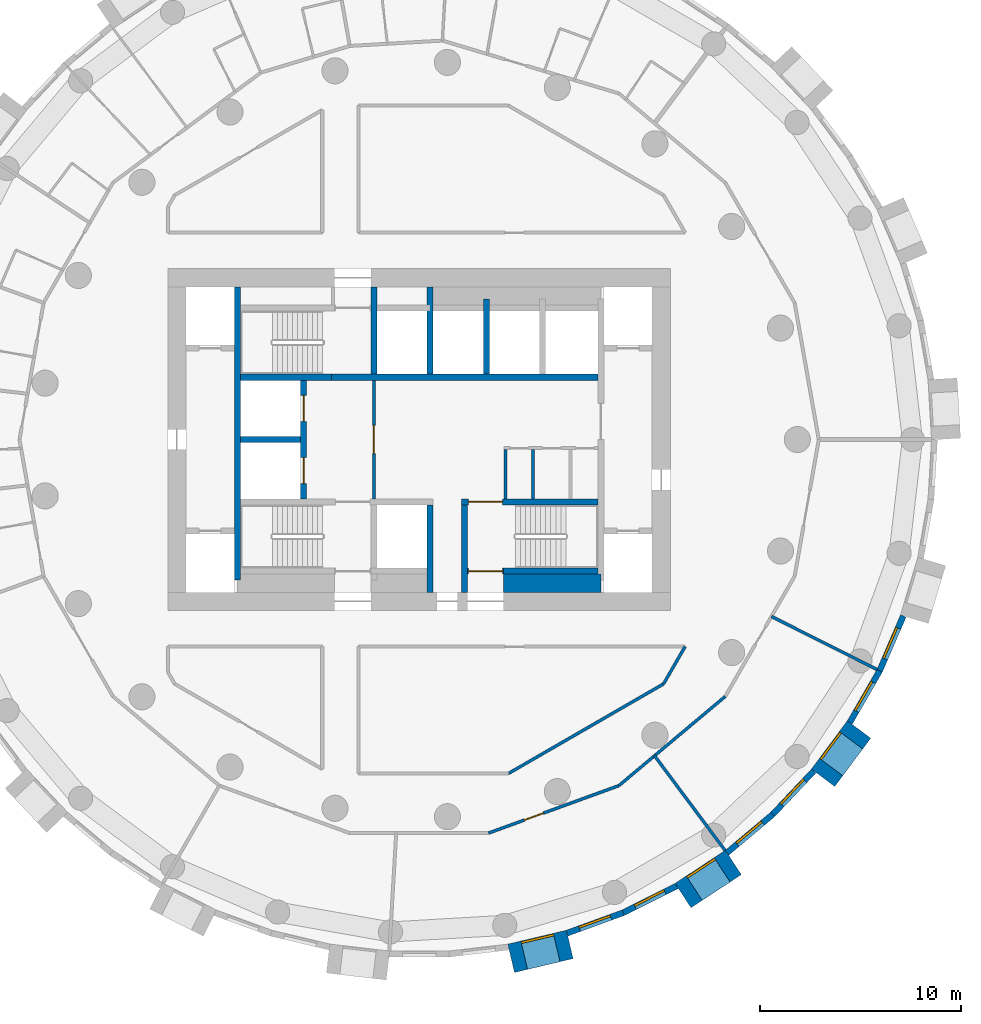
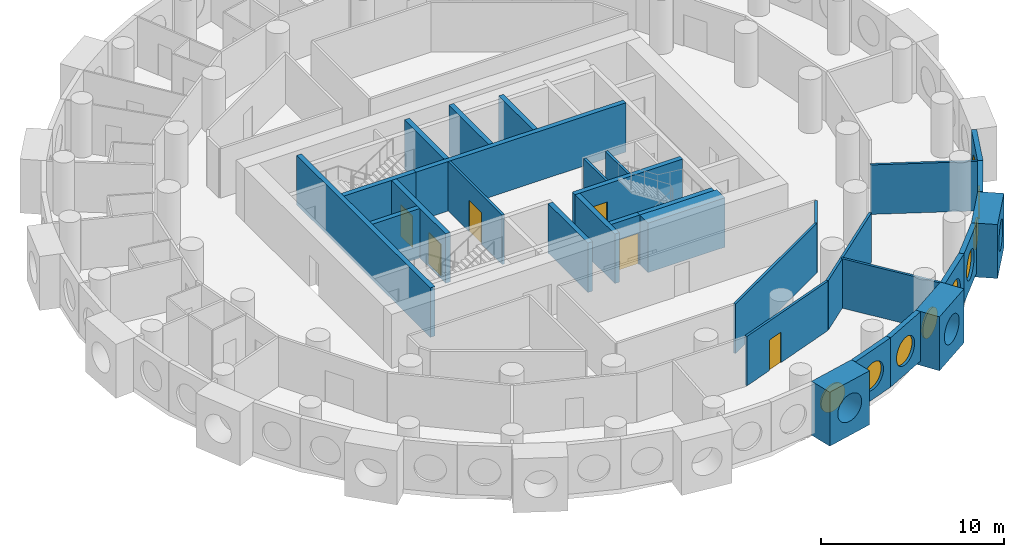
# One storey, part 4 of 10: 32 walls, 9 windows, 6 doors, 15 openings.
"""IFC4 building model written with IfcOpenShell, lengths in metres."""

from ifc_helpers import new_model, si_unit, direction, frame, frame_2d, origin, origin_2d, place, context, subcontext, project, spatial, rectangle, circle, extrude, material, layer, layer_set, type_object, element, fill, save


model = new_model("IFC4")

# Units and contexts
model_context = context("Model", 3, precision=1e-05, world=origin(), true_north=direction((0.0, 1.0)))
body_context = subcontext(model_context, "Body", "Model", "MODEL_VIEW")
ifc_project = project(units=[si_unit("LENGTHUNIT", "METRE"), si_unit("AREAUNIT", "SQUARE_METRE"), si_unit("VOLUMEUNIT", "CUBIC_METRE"), si_unit("PLANEANGLEUNIT", "RADIAN"), si_unit("MASSUNIT", "GRAM", prefix="KILO")], contexts=[model_context])

# Site, building, storey
site_placement = place(None, origin())
site = spatial("IfcSite", under=ifc_project, at=site_placement, CompositionType="ELEMENT")
building_placement = place(site_placement, origin())
building = spatial("IfcBuilding", under=site, at=building_placement, Name="Tracery Tower", CompositionType="ELEMENT")
storey_placement = place(building_placement, frame((0.0, 0.0, 144.0)))
storey = spatial("IfcBuildingStorey", under=building, at=storey_placement, Name="L36", CompositionType="ELEMENT", Elevation=144.0)

# Wall, opening, door
ifc_material_1 = material(Name="Plasterboard on steel studs", Category="steel")
ifc_layer_1 = layer(ifc_material_1, 0.14990234375)
ifc_layer_set_1 = layer_set([ifc_layer_1], Name="Core lobby partition 150")
wall_type_1 = type_object("IfcWallType", Name="Core lobby partition 150", PredefinedType="SOLIDWALL", material=ifc_layer_set_1)
wall_1_placement = place(storey_placement, frame((-2.25, -2.949951171875, 0.0), z_axis=(0.0, 0.0, 1.0), x_axis=(0.0, 1.0, 0.0)))
wall_1 = element("IfcWall", 1, at=wall_1_placement, inside=storey, type_object=wall_type_1, Name="L36 FF lobby E", PredefinedType="SOLIDWALL", context=body_context, shape_type="SweptSolid", body=[
    extrude(rectangle(XDim=5.89990234375, YDim=0.14990234375, at=frame_2d((2.949951171875, 0.0))), origin(), (0.0, 0.0, 1.0), 3.300048828125),
])
opening_1_placement = place(wall_1_placement, frame((2.25, 0.0, 0.0)))
opening_1 = element("IfcOpeningElement", 2, at=opening_1_placement, cuts=wall_1, Name="Opening KD8", PredefinedType="OPENING", context=body_context, shape_type="SweptSolid", body=[
    extrude(rectangle(XDim=1.39990234375, YDim=2.10009765625, at=frame_2d((0.699951171875, 1.050048828125))), frame((0.0, 0.074951171875, 0.0), z_axis=(0.0, -1.0, 0.0), x_axis=(1.0, 0.0, 0.0)), (0.0, 0.0, 1.0), 0.14990234375),
])
ifc_material_2 = material(Name="Steel fire door", Category="steel")
door_type_1 = type_object("IfcDoorType", Name="Core lobby door 1400 double", OperationType="NOTDEFINED", PredefinedType="DOOR", material=ifc_material_2)
door_1_placement = place(opening_1_placement, origin())
door_1 = element("IfcDoor", 3, at=door_1_placement, inside=storey, type_object=door_type_1, Name="Fire-fighting lobby door", OperationType="DOUBLE_DOOR_SINGLE_SWING", OverallHeight=2.10009765625, OverallWidth=1.39990234375, PredefinedType="DOOR", context=body_context, shape_type="SweptSolid", body=[
    extrude(rectangle(XDim=1.39990234375, YDim=2.10009765625, at=frame_2d((0.699951171875, 1.050048828125))), frame((0.0, 0.02490234375, 0.0), z_axis=(0.0, -1.0, 0.0), x_axis=(1.0, 0.0, 0.0)), (0.0, 0.0, 1.0), 0.050048828125),
])
fill(opening_1, door_1)

# Walls
ifc_material_3 = material(Name="Plasterboard on steel studs", Category="steel")
ifc_layer_2 = layer(ifc_material_3, 0.14990234375)
ifc_layer_set_2 = layer_set([ifc_layer_2], Name="Core room partition 150")
wall_type_2 = type_object("IfcWallType", Name="Core room partition 150", PredefinedType="SOLIDWALL", material=ifc_layer_set_2)
for number, where, z_axis, x_axis, name in (
    (4, (4.300048828125, -2.949951171875, 0.0), (0.0, 0.0, 1.0), (0.0, 1.0, 0.0), "L36 slot W"),
    (5, (5.675048828125, -2.949951171875, 0.0), (0.0, 0.0, 1.0), (0.0, 1.0, 0.0), "L36 slot sep 1"),
):
    element("IfcWall", number, at=place(storey_placement, frame(where, z_axis=z_axis, x_axis=x_axis)), inside=storey, type_object=wall_type_2, Name=name, PredefinedType="SOLIDWALL", context=body_context, shape_type="SweptSolid", body=[
        extrude(rectangle(XDim=2.449951171875, YDim=0.14990234375, at=frame_2d((1.22509765625, 0.0))), origin(), (0.0, 0.0, 1.0), 3.300048828125),
    ])
ifc_material_4 = material(Name="Concrete C50/60", Category="concrete")
ifc_layer_3 = layer(ifc_material_4, 0.89990234375)
ifc_layer_set_3 = layer_set([ifc_layer_3], Name="Core strip wall 900 C50")
wall_type_3 = type_object("IfcWallType", Name="Core strip wall 900 C50", PredefinedType="SOLIDWALL", material=ifc_layer_set_3)
wall_2_placement = place(storey_placement, frame((4.199951171875, -7.14990234375, 0.0), z_axis=(0.0, 0.0, 1.0), x_axis=(1.0, 0.0, 0.0)))
element("IfcWall", 6, at=wall_2_placement, inside=storey, type_object=wall_type_3, Name="L36 F thick S E", PredefinedType="SOLIDWALL", context=body_context, shape_type="SweptSolid", body=[
    extrude(rectangle(XDim=4.85009765625, YDim=0.89990234375, at=frame_2d((2.425048828125, 0.0))), origin(), (0.0, 0.0, 1.0), 3.300048828125),
])

# Wall, opening, window
ifc_material_5 = material(Name="Precast concrete C50/60", Category="concrete")
ifc_layer_4 = layer(ifc_material_5, 1.449951171875)
ifc_layer_set_4 = layer_set([ifc_layer_4], Name="Deep-set bay unit 3000 x 3600, slab edge 300")
wall_type_4 = type_object("IfcWallType", Name="Deep-set bay unit 3000 x 3600, slab edge 300", PredefinedType="ELEMENTEDWALL", material=ifc_layer_set_4)
wall_3_placement = place(storey_placement, frame((4.57763671875, -25.8193359375, -0.300048828125), z_axis=(0.0, 0.0, 1.0), x_axis=(0.973042333261, 0.23062657627, 0.0)))
wall_3 = element("IfcWall", 7, at=wall_3_placement, inside=storey, type_object=wall_type_4, Name="Deep-set bay unit 43 at L36", PredefinedType="ELEMENTEDWALL", context=body_context, shape_type="SweptSolid", body=[
    extrude(rectangle(XDim=3.0, YDim=1.449951171875, at=frame_2d((1.5, 0.0))), origin(), (0.0, 0.0, 1.0), 3.60009765625),
])
opening_2_placement = place(wall_3_placement, frame((1.5, 0.0, 1.85009765625)))
opening_2 = element("IfcOpeningElement", 8, at=opening_2_placement, cuts=wall_3, Name="Opening WN1", PredefinedType="OPENING", context=body_context, shape_type="SweptSolid", body=[
    extrude(circle(Radius=0.9000244140625, at=origin_2d()), frame((0.0, 0.73486328125, 0.0), z_axis=(0.0, -1.0, 0.0), x_axis=(1.0, 0.0, 0.0)), (0.0, 0.0, 1.0), 1.469970703125),
])
ifc_material_6 = material(Name="Aluminium frame with tinted double glazing", Category="aluminium")
window_type = type_object("IfcWindowType", Name="Round window 1800", PartitioningType="SINGLE_PANEL", PredefinedType="WINDOW", material=ifc_material_6)
window_1_placement = place(opening_2_placement, origin())
window_1 = element("IfcWindow", 9, at=window_1_placement, inside=storey, type_object=window_type, Name="Round window 43 at L36", OverallHeight=1.800048828125, OverallWidth=1.800048828125, PartitioningType="SINGLE_PANEL", PredefinedType="WINDOW", context=body_context, shape_type="SweptSolid", body=[
    extrude(circle(Radius=0.9000244140625, at=origin_2d()), frame((0.0, 0.69482421875, 0.0), z_axis=(0.0, -1.0, 0.0), x_axis=(1.0, 0.0, 0.0)), (0.0, 0.0, 1.0), 0.10009765625),
])
fill(opening_2, window_1)

wall_4_placement = place(storey_placement, frame((13.13232421875, -22.696533203125, -0.300048828125), z_axis=(0.0, 0.0, 1.0), x_axis=(0.835514416706, 0.549468524554, 0.0)))
wall_4 = element("IfcWall", 10, at=wall_4_placement, inside=storey, type_object=wall_type_4, Name="Deep-set bay unit 46 at L36", PredefinedType="ELEMENTEDWALL", context=body_context, shape_type="SweptSolid", body=[
    extrude(rectangle(XDim=3.0, YDim=1.449951171875, at=frame_2d((1.5, 0.0))), origin(), (0.0, 0.0, 1.0), 3.60009765625),
])
opening_3_placement = place(wall_4_placement, frame((1.5, 0.0, 1.85009765625)))
opening_3 = element("IfcOpeningElement", 11, at=opening_3_placement, cuts=wall_4, Name="Opening WN1", PredefinedType="OPENING", context=body_context, shape_type="SweptSolid", body=[
    extrude(circle(Radius=0.9000244140625, at=origin_2d()), frame((0.0, 0.73486328125, 0.0), z_axis=(0.0, -1.0, 0.0), x_axis=(1.0, 0.0, 0.0)), (0.0, 0.0, 1.0), 1.469970703125),
])
window_2_placement = place(opening_3_placement, origin())
window_2 = element("IfcWindow", 12, at=window_2_placement, inside=storey, type_object=window_type, Name="Round window 46 at L36", OverallHeight=1.800048828125, OverallWidth=1.800048828125, PartitioningType="SINGLE_PANEL", PredefinedType="WINDOW", context=body_context, shape_type="SweptSolid", body=[
    extrude(circle(Radius=0.9000244140625, at=origin_2d()), frame((0.0, 0.69482421875, 0.0), z_axis=(0.0, -1.0, 0.0), x_axis=(1.0, 0.0, 0.0)), (0.0, 0.0, 1.0), 0.10009765625),
])
fill(opening_3, window_2)

wall_5_placement = place(storey_placement, frame((20.10302734375, -16.836181640625, -0.300048828125), z_axis=(0.0, 0.0, 1.0), x_axis=(0.597183717734, 0.802104486506, 0.0)))
wall_5 = element("IfcWall", 13, at=wall_5_placement, inside=storey, type_object=wall_type_4, Name="Deep-set bay unit 49 at L36", PredefinedType="ELEMENTEDWALL", context=body_context, shape_type="SweptSolid", body=[
    extrude(rectangle(XDim=3.0, YDim=1.449951171875, at=frame_2d((1.5, 0.0))), origin(), (0.0, 0.0, 1.0), 3.60009765625),
])
opening_4_placement = place(wall_5_placement, frame((1.5, 0.0, 1.85009765625)))
opening_4 = element("IfcOpeningElement", 14, at=opening_4_placement, cuts=wall_5, Name="Opening WN1", PredefinedType="OPENING", context=body_context, shape_type="SweptSolid", body=[
    extrude(circle(Radius=0.9000244140625, at=origin_2d()), frame((0.0, 0.73486328125, 0.0), z_axis=(0.0, -1.0, 0.0), x_axis=(1.0, 0.0, 0.0)), (0.0, 0.0, 1.0), 1.469970703125),
])
window_3_placement = place(opening_4_placement, origin())
window_3 = element("IfcWindow", 15, at=window_3_placement, inside=storey, type_object=window_type, Name="Round window 49 at L36", OverallHeight=1.800048828125, OverallWidth=1.800048828125, PartitioningType="SINGLE_PANEL", PredefinedType="WINDOW", context=body_context, shape_type="SweptSolid", body=[
    extrude(circle(Radius=0.9000244140625, at=origin_2d()), frame((0.0, 0.69482421875, 0.0), z_axis=(0.0, -1.0, 0.0), x_axis=(1.0, 0.0, 0.0)), (0.0, 0.0, 1.0), 0.10009765625),
])
fill(opening_4, window_3)

ifc_material_7 = material(Name="Precast concrete C50/60", Category="concrete")
ifc_layer_5 = layer(ifc_material_7, 0.300048828125)
ifc_layer_set_5 = layer_set([ifc_layer_5], Name="Facade panel 3000 x 3300")
wall_type_5 = type_object("IfcWallType", Name="Facade panel 3000 x 3300", PredefinedType="SOLIDWALL", material=ifc_layer_set_5)
wall_6_placement = place(storey_placement, frame((7.36474609375, -24.566650390625, 0.0), z_axis=(0.0, 0.0, 1.0), x_axis=(0.939690282133, 0.342026568652, 0.0)))
wall_6 = element("IfcWall", 16, at=wall_6_placement, inside=storey, type_object=wall_type_5, Name="Facade panel 44 at L36", PredefinedType="SOLIDWALL", context=body_context, shape_type="SweptSolid", body=[
    extrude(rectangle(XDim=2.972900390625, YDim=0.300048828125, at=frame_2d((1.486328125, 0.0))), origin(), (0.0, 0.0, 1.0), 3.300048828125),
])
opening_5_placement = place(wall_6_placement, frame((1.486328125, 0.0, 1.5498046875)))
opening_5 = element("IfcOpeningElement", 17, at=opening_5_placement, cuts=wall_6, Name="Opening WN1", PredefinedType="OPENING", context=body_context, shape_type="SweptSolid", body=[
    extrude(circle(Radius=0.9000244140625, at=origin_2d()), frame((0.0, 0.159912109375, 0.0), z_axis=(0.0, -1.0, 0.0), x_axis=(1.0, 0.0, 0.0)), (0.0, 0.0, 1.0), 0.320068359375),
])
window_4_placement = place(opening_5_placement, origin())
window_4 = element("IfcWindow", 18, at=window_4_placement, inside=storey, type_object=window_type, Name="Round window 44 at L36", OverallHeight=1.800048828125, OverallWidth=1.800048828125, PartitioningType="SINGLE_PANEL", PredefinedType="WINDOW", context=body_context, shape_type="SweptSolid", body=[
    extrude(circle(Radius=0.9000244140625, at=origin_2d()), frame((0.0, 0.1201171875, 0.0), z_axis=(0.0, -1.0, 0.0), x_axis=(1.0, 0.0, 0.0)), (0.0, 0.0, 1.0), 0.10009765625),
])
fill(opening_5, window_4)

wall_7_placement = place(storey_placement, frame((10.158447265625, -23.5498046875, 0.0), z_axis=(0.0, 0.0, 1.0), x_axis=(0.893637442555, 0.448789618045, 0.0)))
wall_7 = element("IfcWall", 19, at=wall_7_placement, inside=storey, type_object=wall_type_5, Name="Facade panel 45 at L36", PredefinedType="SOLIDWALL", context=body_context, shape_type="SweptSolid", body=[
    extrude(rectangle(XDim=2.972900390625, YDim=0.300048828125, at=frame_2d((1.486328125, 0.0))), origin(), (0.0, 0.0, 1.0), 3.300048828125),
])
opening_6_placement = place(wall_7_placement, frame((1.486328125, 0.0, 1.5498046875)))
opening_6 = element("IfcOpeningElement", 20, at=opening_6_placement, cuts=wall_7, Name="Opening WN1", PredefinedType="OPENING", context=body_context, shape_type="SweptSolid", body=[
    extrude(circle(Radius=0.9000244140625, at=origin_2d()), frame((0.0, 0.159912109375, 0.0), z_axis=(0.0, -1.0, 0.0), x_axis=(1.0, 0.0, 0.0)), (0.0, 0.0, 1.0), 0.320068359375),
])
window_5_placement = place(opening_6_placement, origin())
window_5 = element("IfcWindow", 21, at=window_5_placement, inside=storey, type_object=window_type, Name="Round window 45 at L36", OverallHeight=1.800048828125, OverallWidth=1.800048828125, PartitioningType="SINGLE_PANEL", PredefinedType="WINDOW", context=body_context, shape_type="SweptSolid", body=[
    extrude(circle(Radius=0.9000244140625, at=origin_2d()), frame((0.0, 0.1201171875, 0.0), z_axis=(0.0, -1.0, 0.0), x_axis=(1.0, 0.0, 0.0)), (0.0, 0.0, 1.0), 0.10009765625),
])
fill(opening_6, window_5)

wall_8_placement = place(storey_placement, frame((15.322998046875, -20.566162109375, 0.0), z_axis=(0.0, 0.0, 1.0), x_axis=(0.766049350637, 0.642781761089, 0.0)))
wall_8 = element("IfcWall", 22, at=wall_8_placement, inside=storey, type_object=wall_type_5, Name="Facade panel 47 at L36", PredefinedType="SOLIDWALL", context=body_context, shape_type="SweptSolid", body=[
    extrude(rectangle(XDim=2.972900390625, YDim=0.300048828125, at=frame_2d((1.486328125, 0.0))), origin(), (0.0, 0.0, 1.0), 3.300048828125),
])
opening_7_placement = place(wall_8_placement, frame((1.486328125, 0.0, 1.5498046875)))
opening_7 = element("IfcOpeningElement", 23, at=opening_7_placement, cuts=wall_8, Name="Opening WN1", PredefinedType="OPENING", context=body_context, shape_type="SweptSolid", body=[
    extrude(circle(Radius=0.9000244140625, at=origin_2d()), frame((0.0, 0.159912109375, 0.0), z_axis=(0.0, -1.0, 0.0), x_axis=(1.0, 0.0, 0.0)), (0.0, 0.0, 1.0), 0.320068359375),
])
window_6_placement = place(opening_7_placement, origin())
window_6 = element("IfcWindow", 24, at=window_6_placement, inside=storey, type_object=window_type, Name="Round window 47 at L36", OverallHeight=1.800048828125, OverallWidth=1.800048828125, PartitioningType="SINGLE_PANEL", PredefinedType="WINDOW", context=body_context, shape_type="SweptSolid", body=[
    extrude(circle(Radius=0.9000244140625, at=origin_2d()), frame((0.0, 0.1201171875, 0.0), z_axis=(0.0, -1.0, 0.0), x_axis=(1.0, 0.0, 0.0)), (0.0, 0.0, 1.0), 0.10009765625),
])
fill(opening_7, window_6)

wall_9_placement = place(storey_placement, frame((17.600341796875, -18.6552734375, 0.0), z_axis=(0.0, 0.0, 1.0), x_axis=(0.686235184166, 0.727379730273, 0.0)))
wall_9 = element("IfcWall", 25, at=wall_9_placement, inside=storey, type_object=wall_type_5, Name="Facade panel 48 at L36", PredefinedType="SOLIDWALL", context=body_context, shape_type="SweptSolid", body=[
    extrude(rectangle(XDim=2.972900390625, YDim=0.300048828125, at=frame_2d((1.486328125, 0.0))), origin(), (0.0, 0.0, 1.0), 3.300048828125),
])
opening_8_placement = place(wall_9_placement, frame((1.486328125, 0.0, 1.5498046875)))
opening_8 = element("IfcOpeningElement", 26, at=opening_8_placement, cuts=wall_9, Name="Opening WN1", PredefinedType="OPENING", context=body_context, shape_type="SweptSolid", body=[
    extrude(circle(Radius=0.9000244140625, at=origin_2d()), frame((0.0, 0.159912109375, 0.0), z_axis=(0.0, -1.0, 0.0), x_axis=(1.0, 0.0, 0.0)), (0.0, 0.0, 1.0), 0.320068359375),
])
window_7_placement = place(opening_8_placement, origin())
window_7 = element("IfcWindow", 27, at=window_7_placement, inside=storey, type_object=window_type, Name="Round window 48 at L36", OverallHeight=1.800048828125, OverallWidth=1.800048828125, PartitioningType="SINGLE_PANEL", PredefinedType="WINDOW", context=body_context, shape_type="SweptSolid", body=[
    extrude(circle(Radius=0.9000244140625, at=origin_2d()), frame((0.0, 0.1201171875, 0.0), z_axis=(0.0, -1.0, 0.0), x_axis=(1.0, 0.0, 0.0)), (0.0, 0.0, 1.0), 0.10009765625),
])
fill(opening_8, window_7)

wall_10_placement = place(storey_placement, frame((21.432861328125, -14.085205078125, 0.0), z_axis=(0.0, 0.0, 1.0), x_axis=(0.500016263033, 0.866016014115, 0.0)))
wall_10 = element("IfcWall", 28, at=wall_10_placement, inside=storey, type_object=wall_type_5, Name="Facade panel 50 at L36", PredefinedType="SOLIDWALL", context=body_context, shape_type="SweptSolid", body=[
    extrude(rectangle(XDim=2.97314453125, YDim=0.300048828125, at=frame_2d((1.486572265625, 0.0))), origin(), (0.0, 0.0, 1.0), 3.300048828125),
])
opening_9_placement = place(wall_10_placement, frame((1.486328125, 0.0, 1.5498046875)))
opening_9 = element("IfcOpeningElement", 29, at=opening_9_placement, cuts=wall_10, Name="Opening WN1", PredefinedType="OPENING", context=body_context, shape_type="SweptSolid", body=[
    extrude(circle(Radius=0.9000244140625, at=origin_2d()), frame((0.0, 0.159912109375, 0.0), z_axis=(0.0, -1.0, 0.0), x_axis=(1.0, 0.0, 0.0)), (0.0, 0.0, 1.0), 0.320068359375),
])
window_8_placement = place(opening_9_placement, origin())
window_8 = element("IfcWindow", 30, at=window_8_placement, inside=storey, type_object=window_type, Name="Round window 50 at L36", OverallHeight=1.800048828125, OverallWidth=1.800048828125, PartitioningType="SINGLE_PANEL", PredefinedType="WINDOW", context=body_context, shape_type="SweptSolid", body=[
    extrude(circle(Radius=0.9000244140625, at=origin_2d()), frame((0.0, 0.1201171875, 0.0), z_axis=(0.0, -1.0, 0.0), x_axis=(1.0, 0.0, 0.0)), (0.0, 0.0, 1.0), 0.10009765625),
])
fill(opening_9, window_8)

wall_11_placement = place(storey_placement, frame((22.91943359375, -11.510498046875, 0.0), z_axis=(0.0, 0.0, 1.0), x_axis=(0.396078892785, 0.918216483565, 0.0)))
wall_11 = element("IfcWall", 31, at=wall_11_placement, inside=storey, type_object=wall_type_5, Name="Facade panel 51 at L36", PredefinedType="SOLIDWALL", context=body_context, shape_type="SweptSolid", body=[
    extrude(rectangle(XDim=2.972900390625, YDim=0.300048828125, at=frame_2d((1.486328125, 0.0))), origin(), (0.0, 0.0, 1.0), 3.300048828125),
])
opening_10_placement = place(wall_11_placement, frame((1.486328125, 0.0, 1.5498046875)))
opening_10 = element("IfcOpeningElement", 32, at=opening_10_placement, cuts=wall_11, Name="Opening WN1", PredefinedType="OPENING", context=body_context, shape_type="SweptSolid", body=[
    extrude(circle(Radius=0.9000244140625, at=origin_2d()), frame((0.0, 0.159912109375, 0.0), z_axis=(0.0, -1.0, 0.0), x_axis=(1.0, 0.0, 0.0)), (0.0, 0.0, 1.0), 0.320068359375),
])
window_9_placement = place(opening_10_placement, origin())
window_9 = element("IfcWindow", 33, at=window_9_placement, inside=storey, type_object=window_type, Name="Round window 51 at L36", OverallHeight=1.800048828125, OverallWidth=1.800048828125, PartitioningType="SINGLE_PANEL", PredefinedType="WINDOW", context=body_context, shape_type="SweptSolid", body=[
    extrude(circle(Radius=0.9000244140625, at=origin_2d()), frame((0.0, 0.1201171875, 0.0), z_axis=(0.0, -1.0, 0.0), x_axis=(1.0, 0.0, 0.0)), (0.0, 0.0, 1.0), 0.10009765625),
])
fill(opening_10, window_9)

# Walls
ifc_material_8 = material(Name="Plasterboard on steel studs", Category="steel")
ifc_layer_6 = layer(ifc_material_8, 0.14990234375)
ifc_layer_set_6 = layer_set([ifc_layer_6], Name="Partition 150 acoustic unit wall")
wall_type_6 = type_object("IfcWallType", Name="Partition 150 acoustic unit wall", PredefinedType="PARTITIONING", material=ifc_layer_set_6)
wall_12_placement = place(storey_placement, frame((11.716064453125, -15.737060546875, 0.0), z_axis=(0.0, 0.0, 1.0), x_axis=(0.597151875745, -0.802128192557, 0.0)))
element("IfcWall", 34, at=wall_12_placement, inside=storey, type_object=wall_type_6, Name="Unit wall RB2-079", PredefinedType="PARTITIONING", context=body_context, shape_type="SweptSolid", body=[
    extrude(rectangle(XDim=5.8779296875, YDim=0.14990234375, at=frame_2d((2.93896484375, 0.0))), origin(), (0.0, 0.0, 1.0), 3.300048828125),
])
wall_13_placement = place(storey_placement, frame((17.531982421875, -8.804931640625, 0.0), z_axis=(0.0, 0.0, 1.0), x_axis=(0.893628331628, -0.448807759415, 0.0)))
element("IfcWall", 35, at=wall_13_placement, inside=storey, type_object=wall_type_6, Name="Unit wall RB2-080", PredefinedType="PARTITIONING", context=body_context, shape_type="SweptSolid", body=[
    extrude(rectangle(XDim=5.878173828125, YDim=0.14990234375, at=frame_2d((2.93896484375, 0.0))), origin(), (0.0, 0.0, 1.0), 3.300048828125),
])
ifc_material_9 = material(Name="Plasterboard on steel studs", Category="steel")
ifc_layer_7 = layer(ifc_material_9, 0.14990234375)
ifc_layer_set_7 = layer_set([ifc_layer_7], Name="Partition 150 corridor wall")
wall_type_7 = type_object("IfcWallType", Name="Partition 150 corridor wall", PredefinedType="PARTITIONING", material=ifc_layer_set_7)
wall_14_placement = place(storey_placement, frame((12.162109375, -12.162109375, 0.0), z_axis=(0.0, 0.0, 1.0), x_axis=(0.499961633463, 0.866047553582, 0.0)))
element("IfcWall", 36, at=wall_14_placement, inside=storey, type_object=wall_type_7, Name="Corridor wall RB2-006", PredefinedType="PARTITIONING", context=body_context, shape_type="SweptSolid", body=[
    extrude(rectangle(XDim=2.150146484375, YDim=0.14990234375, at=frame_2d((1.0751953125, 0.0))), origin(), (0.0, 0.0, 1.0), 3.300048828125),
])
wall_15_placement = place(storey_placement, frame((9.943359375, -17.22216796875, 0.0), z_axis=(0.0, 0.0, 1.0), x_axis=(0.766192104565, 0.642611592567, 0.0)))
element("IfcWall", 37, at=wall_15_placement, inside=storey, type_object=wall_type_7, Name="Corridor wall RB2-011", PredefinedType="PARTITIONING", context=body_context, shape_type="SweptSolid", body=[
    extrude(rectangle(XDim=6.906494140625, YDim=0.14990234375, at=frame_2d((3.453125, 0.0))), origin(), (0.0, 0.0, 1.0), 3.300048828125),
])
wall_16_placement = place(storey_placement, frame((4.451904296875, -16.614013671875, 0.0), z_axis=(0.0, 0.0, 1.0), x_axis=(0.866005203721, 0.500034985904, 0.0)))
element("IfcWall", 38, at=wall_16_placement, inside=storey, type_object=wall_type_7, Name="Corridor wall RB2-036", PredefinedType="PARTITIONING", context=body_context, shape_type="SweptSolid", body=[
    extrude(rectangle(XDim=8.903076171875, YDim=0.14990234375, at=frame_2d((4.45166015625, 0.0))), origin(), (0.0, 0.0, 1.0), 3.300048828125),
])

# Wall, opening, door
wall_17_placement = place(storey_placement, frame((3.452880859375, -19.5859375, 0.0), z_axis=(0.0, 0.0, 1.0), x_axis=(0.939672634566, 0.342075050021, 0.0)))
wall_17 = element("IfcWall", 39, at=wall_17_placement, inside=storey, type_object=wall_type_7, Name="Corridor wall RB2-039", PredefinedType="PARTITIONING", context=body_context, shape_type="SweptSolid", body=[
    extrude(rectangle(XDim=6.907958984375, YDim=0.14990234375, at=frame_2d((3.4541015625, 0.0))), origin(), (0.0, 0.0, 1.0), 3.300048828125),
])
opening_11_placement = place(wall_17_placement, frame((1.90380859375, 0.0, 0.0)))
opening_11 = element("IfcOpeningElement", 40, at=opening_11_placement, cuts=wall_17, Name="Opening RB2-30", PredefinedType="OPENING", context=body_context, shape_type="SweptSolid", body=[
    extrude(rectangle(XDim=1.0, YDim=2.0400390625, at=frame_2d((0.5, 1.02001953125))), frame((0.0, 0.074951171875, 0.0), z_axis=(0.0, -1.0, 0.0), x_axis=(1.0, 0.0, 0.0)), (0.0, 0.0, 1.0), 0.14990234375),
])
ifc_material_10 = material(Name="Timber door leaf", Category="wood")
door_type_2 = type_object("IfcDoorType", Name="Door communal room 1000", OperationType="NOTDEFINED", PredefinedType="DOOR", material=ifc_material_10)
door_2_placement = place(opening_11_placement, origin())
door_2 = element("IfcDoor", 41, at=door_2_placement, inside=storey, type_object=door_type_2, Name="Communal room door RB2-30", OperationType="SINGLE_SWING_RIGHT", OverallHeight=2.0400390625, OverallWidth=1.0, PredefinedType="DOOR", context=body_context, shape_type="SweptSolid", body=[
    extrude(rectangle(XDim=1.0, YDim=2.0400390625, at=frame_2d((0.5, 1.02001953125))), frame((0.0, 0.02490234375, 0.0), z_axis=(0.0, -1.0, 0.0), x_axis=(1.0, 0.0, 0.0)), (0.0, 0.0, 1.0), 0.050048828125),
])
fill(opening_11, door_2)

# Wall
ifc_material_11 = material(Name="Concrete C50/60", Category="concrete")
ifc_layer_8 = layer(ifc_material_11, 0.300048828125)
ifc_layer_set_8 = layer_set([ifc_layer_8], Name="Shaft wall 300 C50")
wall_type_8 = type_object("IfcWallType", Name="Shaft wall 300 C50", PredefinedType="SOLIDWALL", material=ifc_layer_set_8)
wall_18_placement = place(storey_placement, frame((-8.89990234375, 0.0, 0.0), z_axis=(0.0, 0.0, 1.0), x_axis=(1.0, 0.0, 0.0)))
element("IfcWall", 42, at=wall_18_placement, inside=storey, type_object=wall_type_8, Name="L36 FF split", PredefinedType="SOLIDWALL", context=body_context, shape_type="SweptSolid", body=[
    extrude(rectangle(XDim=3.0, YDim=0.300048828125, at=frame_2d((1.5, 0.0))), origin(), (0.0, 0.0, 1.0), 3.300048828125),
])

# Wall, openings, doors
wall_19_placement = place(storey_placement, frame((-5.75, -2.949951171875, 0.0), z_axis=(0.0, 0.0, 1.0), x_axis=(0.0, 1.0, 0.0)))
wall_19 = element("IfcWall", 43, at=wall_19_placement, inside=storey, type_object=wall_type_8, Name="L36 FF doors", PredefinedType="SOLIDWALL", context=body_context, shape_type="SweptSolid", body=[
    extrude(rectangle(XDim=5.89990234375, YDim=0.300048828125, at=frame_2d((2.949951171875, 0.0))), origin(), (0.0, 0.0, 1.0), 3.300048828125),
])
opening_12_placement = place(wall_19_placement, frame((0.75, 0.0, 0.0)))
opening_12 = element("IfcOpeningElement", 44, at=opening_12_placement, cuts=wall_19, Name="Opening KD54", PredefinedType="OPENING", context=body_context, shape_type="SweptSolid", body=[
    extrude(rectangle(XDim=1.300048828125, YDim=2.10009765625, at=frame_2d((0.64990234375, 1.050048828125))), frame((0.0, 0.14990234375, 0.0), z_axis=(0.0, -1.0, 0.0), x_axis=(1.0, 0.0, 0.0)), (0.0, 0.0, 1.0), 0.300048828125),
])
opening_13_placement = place(wall_19_placement, frame((3.85009765625, 0.0, 0.0)))
opening_13 = element("IfcOpeningElement", 45, at=opening_13_placement, cuts=wall_19, Name="Opening KD55", PredefinedType="OPENING", context=body_context, shape_type="SweptSolid", body=[
    extrude(rectangle(XDim=1.300048828125, YDim=2.10009765625, at=frame_2d((0.64990234375, 1.050048828125))), frame((0.0, 0.14990234375, 0.0), z_axis=(0.0, -1.0, 0.0), x_axis=(1.0, 0.0, 0.0)), (0.0, 0.0, 1.0), 0.300048828125),
])
ifc_material_12 = material(Name="Steel fire door", Category="steel")
door_type_3 = type_object("IfcDoorType", Name="Landing door FF 1300", OperationType="NOTDEFINED", PredefinedType="DOOR", material=ifc_material_12)
door_3_placement = place(opening_12_placement, origin())
door_3 = element("IfcDoor", 46, at=door_3_placement, inside=storey, type_object=door_type_3, Name="Landing door FF1", OperationType="SLIDING_TO_LEFT", OverallHeight=2.10009765625, OverallWidth=1.300048828125, PredefinedType="DOOR", context=body_context, shape_type="SweptSolid", body=[
    extrude(rectangle(XDim=1.300048828125, YDim=2.10009765625, at=frame_2d((0.64990234375, 1.050048828125))), frame((0.0, 0.02490234375, 0.0), z_axis=(0.0, -1.0, 0.0), x_axis=(1.0, 0.0, 0.0)), (0.0, 0.0, 1.0), 0.050048828125),
])
fill(opening_12, door_3)
door_4_placement = place(opening_13_placement, origin())
door_4 = element("IfcDoor", 47, at=door_4_placement, inside=storey, type_object=door_type_3, Name="Landing door FF2", OperationType="SLIDING_TO_RIGHT", OverallHeight=2.10009765625, OverallWidth=1.300048828125, PredefinedType="DOOR", context=body_context, shape_type="SweptSolid", body=[
    extrude(rectangle(XDim=1.300048828125, YDim=2.10009765625, at=frame_2d((0.64990234375, 1.050048828125))), frame((0.0, 0.02490234375, 0.0), z_axis=(0.0, -1.0, 0.0), x_axis=(1.0, 0.0, 0.0)), (0.0, 0.0, 1.0), 0.050048828125),
])
fill(opening_13, door_4)

# Walls
for number, where, z_axis, x_axis, name in (
    (48, (0.550048828125, -7.60009765625, 0.0), (0.0, 0.0, 1.0), (0.0, 1.0, 0.0), "L36 OB2 E"),
    (49, (0.550048828125, 3.25, 0.0), (0.0, 0.0, 1.0), (0.0, 1.0, 0.0), "L36 HR sep 1"),
):
    element("IfcWall", number, at=place(storey_placement, frame(where, z_axis=z_axis, x_axis=x_axis)), inside=storey, type_object=wall_type_8, Name=name, PredefinedType="SOLIDWALL", context=body_context, shape_type="SweptSolid", body=[
        extrude(rectangle(XDim=4.35009765625, YDim=0.300048828125, at=frame_2d((2.175048828125, 0.0))), origin(), (0.0, 0.0, 1.0), 3.300048828125),
    ])
wall_20_placement = place(storey_placement, frame((3.35009765625, 3.25, 0.0), z_axis=(0.0, 0.0, 1.0), x_axis=(0.0, 1.0, 0.0)))
element("IfcWall", 50, at=wall_20_placement, inside=storey, type_object=wall_type_8, Name="L36 HR sep 2", PredefinedType="SOLIDWALL", context=body_context, shape_type="SweptSolid", body=[
    extrude(rectangle(XDim=3.75, YDim=0.300048828125, at=frame_2d((1.875, 0.0))), origin(), (0.0, 0.0, 1.0), 3.300048828125),
])

# Wall, opening, door
ifc_material_13 = material(Name="Concrete C50/60", Category="concrete")
ifc_layer_9 = layer(ifc_material_13, 0.300048828125)
ifc_layer_set_9 = layer_set([ifc_layer_9], Name="Stair wall 300 C50")
wall_type_9 = type_object("IfcWallType", Name="Stair wall 300 C50", PredefinedType="SOLIDWALL", material=ifc_layer_set_9)
wall_21_placement = place(storey_placement, frame((2.10009765625, -3.10009765625, 0.0), z_axis=(0.0, 0.0, 1.0), x_axis=(1.0, 0.0, 0.0)))
wall_21 = element("IfcWall", 51, at=wall_21_placement, inside=storey, type_object=wall_type_9, Name="L36 row S E", PredefinedType="SOLIDWALL", context=body_context, shape_type="SweptSolid", body=[
    extrude(rectangle(XDim=6.7998046875, YDim=0.300048828125, at=frame_2d((3.39990234375, 0.0))), origin(), (0.0, 0.0, 1.0), 3.300048828125),
])
opening_14_placement = place(wall_21_placement, frame((0.35009765625, 0.0, 0.0)))
opening_14 = element("IfcOpeningElement", 52, at=opening_14_placement, cuts=wall_21, Name="Opening KD3", PredefinedType="OPENING", context=body_context, shape_type="SweptSolid", body=[
    extrude(rectangle(XDim=1.699951171875, YDim=2.10009765625, at=frame_2d((0.85009765625, 1.050048828125))), frame((0.0, 0.14990234375, 0.0), z_axis=(0.0, -1.0, 0.0), x_axis=(1.0, 0.0, 0.0)), (0.0, 0.0, 1.0), 0.300048828125),
])
ifc_material_14 = material(Name="Steel fire door", Category="steel")
door_type_4 = type_object("IfcDoorType", Name="Core stair door 1700 double", OperationType="NOTDEFINED", PredefinedType="DOOR", material=ifc_material_14)
door_5_placement = place(opening_14_placement, origin())
door_5 = element("IfcDoor", 53, at=door_5_placement, inside=storey, type_object=door_type_4, Name="Stair door ST2", OperationType="DOUBLE_DOOR_SINGLE_SWING", OverallHeight=2.10009765625, OverallWidth=1.699951171875, PredefinedType="DOOR", context=body_context, shape_type="SweptSolid", body=[
    extrude(rectangle(XDim=1.699951171875, YDim=2.10009765625, at=frame_2d((0.85009765625, 1.050048828125))), frame((0.0, 0.02490234375, 0.0), z_axis=(0.0, -1.0, 0.0), x_axis=(1.0, 0.0, 0.0)), (0.0, 0.0, 1.0), 0.050048828125),
])
fill(opening_14, door_5)

# Walls
wall_22_placement = place(storey_placement, frame((-8.89990234375, 3.10009765625, 0.0), z_axis=(0.0, 0.0, 1.0), x_axis=(1.0, 0.0, 0.0)))
element("IfcWall", 54, at=wall_22_placement, inside=storey, type_object=wall_type_9, Name="L36 row N W", PredefinedType="SOLIDWALL", context=body_context, shape_type="SweptSolid", body=[
    extrude(rectangle(XDim=4.5498046875, YDim=0.300048828125, at=frame_2d((2.27490234375, 0.0))), origin(), (0.0, 0.0, 1.0), 3.300048828125),
])
wall_23_placement = place(storey_placement, frame((-4.35009765625, 3.10009765625, 0.0), z_axis=(0.0, 0.0, 1.0), x_axis=(1.0, 0.0, 0.0)))
element("IfcWall", 55, at=wall_23_placement, inside=storey, type_object=wall_type_9, Name="L36 row N", PredefinedType="SOLIDWALL", context=body_context, shape_type="SweptSolid", body=[
    extrude(rectangle(XDim=13.25, YDim=0.300048828125, at=frame_2d((6.625, 0.0))), origin(), (0.0, 0.0, 1.0), 3.300048828125),
])
for number, where, z_axis, x_axis, name in (
    (56, (-2.25, 3.25, 0.0), (0.0, 0.0, 1.0), (0.0, 1.0, 0.0), "L36 ST3 E"),
    (57, (2.25, -7.60009765625, 0.0), (0.0, 0.0, 1.0), (0.0, 1.0, 0.0), "L36 ST2 W"),
):
    element("IfcWall", number, at=place(storey_placement, frame(where, z_axis=z_axis, x_axis=x_axis)), inside=storey, type_object=wall_type_9, Name=name, PredefinedType="SOLIDWALL", context=body_context, shape_type="SweptSolid", body=[
        extrude(rectangle(XDim=4.35009765625, YDim=0.300048828125, at=frame_2d((2.175048828125, 0.0))), origin(), (0.0, 0.0, 1.0), 3.300048828125),
    ])
wall_24_placement = place(storey_placement, frame((-9.050048828125, -7.0, 0.0), z_axis=(0.0, 0.0, 1.0), x_axis=(0.0, 1.0, 0.0)))
element("IfcWall", 58, at=wall_24_placement, inside=storey, type_object=wall_type_9, Name="L36 F wall -9", PredefinedType="SOLIDWALL", context=body_context, shape_type="SweptSolid", body=[
    extrude(rectangle(XDim=14.60009765625, YDim=0.300048828125, at=frame_2d((7.300048828125, 0.0))), origin(), (0.0, 0.0, 1.0), 3.300048828125),
])
wall_25_placement = place(storey_placement, frame((4.199951171875, -6.550048828125, 0.0), z_axis=(0.0, 0.0, 1.0), x_axis=(1.0, 0.0, 0.0)))
element("IfcWall", 59, at=wall_25_placement, inside=storey, type_object=wall_type_9, Name="L36 F stair strip S E", PredefinedType="SOLIDWALL", context=body_context, shape_type="SweptSolid", body=[
    extrude(rectangle(XDim=4.699951171875, YDim=0.300048828125, at=frame_2d((2.35009765625, 0.0))), origin(), (0.0, 0.0, 1.0), 3.300048828125),
])

# Wall, opening, door
wall_26_placement = place(storey_placement, frame((2.39990234375, -6.550048828125, 0.0), z_axis=(0.0, 0.0, 1.0), x_axis=(1.0, 0.0, 0.0)))
wall_26 = element("IfcWall", 60, at=wall_26_placement, inside=storey, type_object=wall_type_9, Name="L36 F stair S E", PredefinedType="SOLIDWALL", context=body_context, shape_type="SweptSolid", body=[
    extrude(rectangle(XDim=1.800048828125, YDim=0.300048828125, at=frame_2d((0.89990234375, 0.0))), origin(), (0.0, 0.0, 1.0), 3.300048828125),
])
opening_15_placement = place(wall_26_placement, frame((0.050048828125, 0.0, 0.0)))
opening_15 = element("IfcOpeningElement", 61, at=opening_15_placement, cuts=wall_26, Name="Opening KD3", PredefinedType="OPENING", context=body_context, shape_type="SweptSolid", body=[
    extrude(rectangle(XDim=1.699951171875, YDim=2.10009765625, at=frame_2d((0.85009765625, 1.050048828125))), frame((0.0, 0.14990234375, 0.0), z_axis=(0.0, -1.0, 0.0), x_axis=(1.0, 0.0, 0.0)), (0.0, 0.0, 1.0), 0.300048828125),
])
door_6_placement = place(opening_15_placement, origin())
door_6 = element("IfcDoor", 62, at=door_6_placement, inside=storey, type_object=door_type_4, Name="Stair door vest", OperationType="DOUBLE_DOOR_SINGLE_SWING", OverallHeight=2.10009765625, OverallWidth=1.699951171875, PredefinedType="DOOR", context=body_context, shape_type="SweptSolid", body=[
    extrude(rectangle(XDim=1.699951171875, YDim=2.10009765625, at=frame_2d((0.85009765625, 1.050048828125))), frame((0.0, 0.02490234375, 0.0), z_axis=(0.0, -1.0, 0.0), x_axis=(1.0, 0.0, 0.0)), (0.0, 0.0, 1.0), 0.050048828125),
])
fill(opening_15, door_6)

save(model, "model.ifc")
